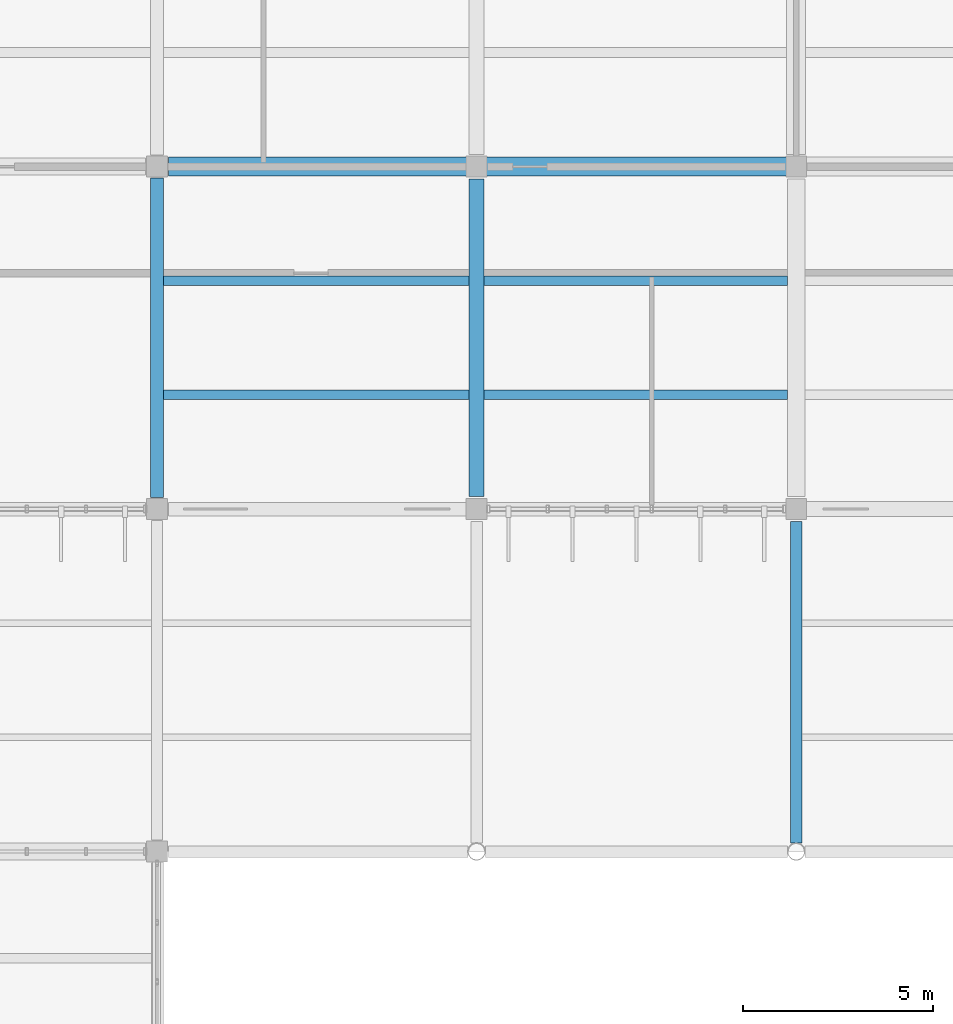
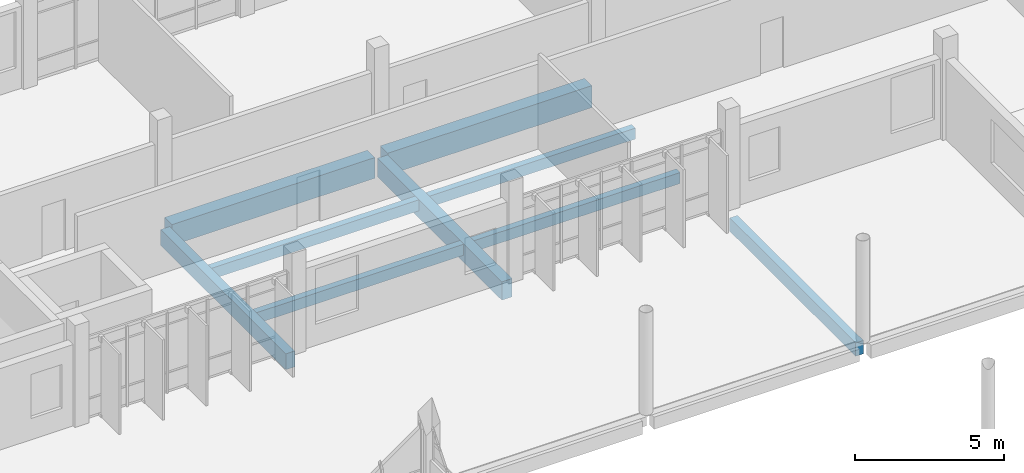
# One storey, part 69 of 130: 9 beams.
"""IFC4 building model written with IfcOpenShell, lengths in metres."""

from ifc_helpers import new_model, si_unit, direction, frame, origin, origin_2d, place, context, subcontext, project, spatial, rectangle, extrude, material, material_profile, profile_set, type_object, element, save


model = new_model("IFC4")

# Units and contexts
model_context = context("Model", 3, precision=1e-05, world=origin(), true_north=direction((0.0, 1.0)))
body_context = subcontext(model_context, "Body", "Model", "MODEL_VIEW")
ifc_project = project(units=[si_unit("LENGTHUNIT", "METRE"), si_unit("AREAUNIT", "SQUARE_METRE"), si_unit("VOLUMEUNIT", "CUBIC_METRE"), si_unit("PLANEANGLEUNIT", "RADIAN"), si_unit("MASSUNIT", "GRAM", prefix="KILO")], contexts=[model_context])

# Site, building, storey
site_placement = place(None, origin())
site = spatial("IfcSite", under=ifc_project, at=site_placement, CompositionType="ELEMENT")
building_placement = place(site_placement, origin())
building = spatial("IfcBuilding", under=site, at=building_placement, Name="Vireocrest Preparatory School", CompositionType="ELEMENT")
storey_placement = place(building_placement, frame((0.0, 0.0, 9.0)))
storey = spatial("IfcBuildingStorey", under=building, at=storey_placement, Name="L02", CompositionType="ELEMENT", Elevation=9.0)

# Beams
ifc_material = material(Name="Concrete 40 MPa", Category="concrete")
ifc_material_profile_1 = material_profile(ifc_material, rectangle(XDim=0.35009765625, YDim=0.64990234375, at=origin_2d()), Name="RC 350x650")
ifc_profile_set_1 = profile_set([ifc_material_profile_1], Name="Concrete 40 MPa")
beam_type_1 = type_object("IfcBeamType", Name="RC Classroom Girder 350x650", PredefinedType="BEAM", material=ifc_profile_set_1)
beam_1_placement = place(storey_placement, frame((67.199951171875, 95.10009765625, -0.60498046875), z_axis=(0.0, 1.0, 0.0), x_axis=(-1.0, 0.0, 0.0)))
element("IfcBeam", 1, at=beam_1_placement, inside=storey, type_object=beam_type_1, Name="Primary Girder B05 L02-0826", PredefinedType="BEAM", context=body_context, shape_type="SweptSolid", body=[
    extrude(rectangle(XDim=0.35009765625, YDim=0.64990234375, at=origin_2d()), origin(), (0.0, 0.0, 1.0), 8.39990234375),
])
ifc_material_profile_2 = material_profile(ifc_material, rectangle(XDim=0.39990234375, YDim=0.75, at=origin_2d()), Name="RC 400x750")
ifc_profile_set_2 = profile_set([ifc_material_profile_2], Name="Concrete 40 MPa")
beam_type_2 = type_object("IfcBeamType", Name="RC Commons Girder 400x750", PredefinedType="BEAM", material=ifc_profile_set_2)
beam_2_placement = place(storey_placement, frame((75.60009765625, 95.125, -0.655029296875), z_axis=(0.0, 1.0, 0.0), x_axis=(-1.0, 0.0, 0.0)))
element("IfcBeam", 2, at=beam_2_placement, inside=storey, type_object=beam_type_2, Name="Primary Girder B09 L02-0830", PredefinedType="BEAM", context=body_context, shape_type="SweptSolid", body=[
    extrude(rectangle(XDim=0.39990234375, YDim=0.75, at=origin_2d()), origin(), (0.0, 0.0, 1.0), 8.35009765625),
])
ifc_material_profile_3 = material_profile(ifc_material, rectangle(XDim=0.5, YDim=0.85009765625, at=origin_2d()), Name="RC 500x850")
ifc_profile_set_3 = profile_set([ifc_material_profile_3], Name="Concrete 40 MPa")
beam_type_3 = type_object("IfcBeamType", Name="RC Podium Girder 500x850", PredefinedType="BEAM", material=ifc_profile_set_3)
beam_3_placement = place(storey_placement, frame((67.5, 103.800048828125, -0.705078125), z_axis=(1.0, 0.0, 0.0), x_axis=(0.0, 1.0, 0.0)))
element("IfcBeam", 3, at=beam_3_placement, inside=storey, type_object=beam_type_3, Name="Primary Girder B14 L02-0768", PredefinedType="BEAM", context=body_context, shape_type="SweptSolid", body=[
    extrude(rectangle(XDim=0.5, YDim=0.85009765625, at=origin_2d()), origin(), (0.0, 0.0, 1.0), 7.85009765625),
])
ifc_material_profile_4 = material_profile(ifc_material, rectangle(XDim=0.5, YDim=0.89990234375, at=origin_2d()), Name="RC 500x900")
ifc_profile_set_4 = profile_set([ifc_material_profile_4], Name="Concrete 40 MPa")
beam_type_4 = type_object("IfcBeamType", Name="RC Podium Girder 500x900", PredefinedType="BEAM", material=ifc_profile_set_4)
beam_4_placement = place(storey_placement, frame((75.85009765625, 103.800048828125, -0.72998046875), z_axis=(1.0, 0.0, 0.0), x_axis=(0.0, 1.0, 0.0)))
element("IfcBeam", 4, at=beam_4_placement, inside=storey, type_object=beam_type_4, Name="Primary Girder B15 L02-0769", PredefinedType="BEAM", context=body_context, shape_type="SweptSolid", body=[
    extrude(rectangle(XDim=0.5, YDim=0.89990234375, at=origin_2d()), origin(), (0.0, 0.0, 1.0), 7.89990234375),
])
ifc_material_profile_5 = material_profile(ifc_material, rectangle(XDim=0.300048828125, YDim=0.550048828125, at=origin_2d()), Name="RC 300x550")
ifc_profile_set_5 = profile_set([ifc_material_profile_5], Name="Concrete 40 MPa")
beam_type_5 = type_object("IfcBeamType", Name="RC Roof Girder 300x550", PredefinedType="BEAM", material=ifc_profile_set_5)
beam_5_placement = place(storey_placement, frame((84.0, 86.028564453125, -0.4951171875), z_axis=(0.0, 1.0, 0.0), x_axis=(-1.0, 0.0, 0.0)))
element("IfcBeam", 5, at=beam_5_placement, inside=storey, type_object=beam_type_5, Name="Primary Girder B02 L02-0833", PredefinedType="BEAM", context=body_context, shape_type="SweptSolid", body=[
    extrude(rectangle(XDim=0.300048828125, YDim=0.550048828125, at=origin_2d()), origin(), (0.0, 0.0, 1.0), 8.446533203125),
])
ifc_material_profile_6 = material_profile(ifc_material, rectangle(XDim=0.25, YDim=0.449951171875, at=origin_2d()), Name="RC 250x450")
ifc_profile_set_6 = profile_set([ifc_material_profile_6], Name="Concrete 40 MPa")
beam_type_6 = type_object("IfcBeamType", Name="RC Secondary Floor Joist 250x450", PredefinedType="JOIST", material=ifc_profile_set_6)
for number, where, z_axis, x_axis, name in (
    (6, (67.375, 97.800048828125, -0.5048828125), (1.0, 0.0, 0.0), (0.0, 1.0, 0.0), "Secondary Joist J01 L02-0948"),
    (7, (67.375, 100.800048828125, -0.5048828125), (1.0, 0.0, 0.0), (0.0, 1.0, 0.0), "Secondary Joist J01 L02-0949"),
):
    element("IfcBeam", number, at=place(storey_placement, frame(where, z_axis=z_axis, x_axis=x_axis)), inside=storey, type_object=beam_type_6, Name=name, PredefinedType="JOIST", context=body_context, shape_type="SweptSolid", body=[
        extrude(rectangle(XDim=0.25, YDim=0.449951171875, at=origin_2d()), origin(), (0.0, 0.0, 1.0), 8.02490234375),
    ])
for number, where, z_axis, x_axis, name in (
    (8, (75.800048828125, 97.800048828125, -0.5048828125), (1.0, 0.0, 0.0), (0.0, 1.0, 0.0), "Secondary Joist J01 L02-0954"),
    (9, (75.800048828125, 100.800048828125, -0.5048828125), (1.0, 0.0, 0.0), (0.0, 1.0, 0.0), "Secondary Joist J01 L02-0955"),
):
    element("IfcBeam", number, at=place(storey_placement, frame(where, z_axis=z_axis, x_axis=x_axis)), inside=storey, type_object=beam_type_6, Name=name, PredefinedType="JOIST", context=body_context, shape_type="SweptSolid", body=[
        extrude(rectangle(XDim=0.25, YDim=0.449951171875, at=origin_2d()), origin(), (0.0, 0.0, 1.0), 7.974853515625),
    ])

save(model, "model.ifc")
